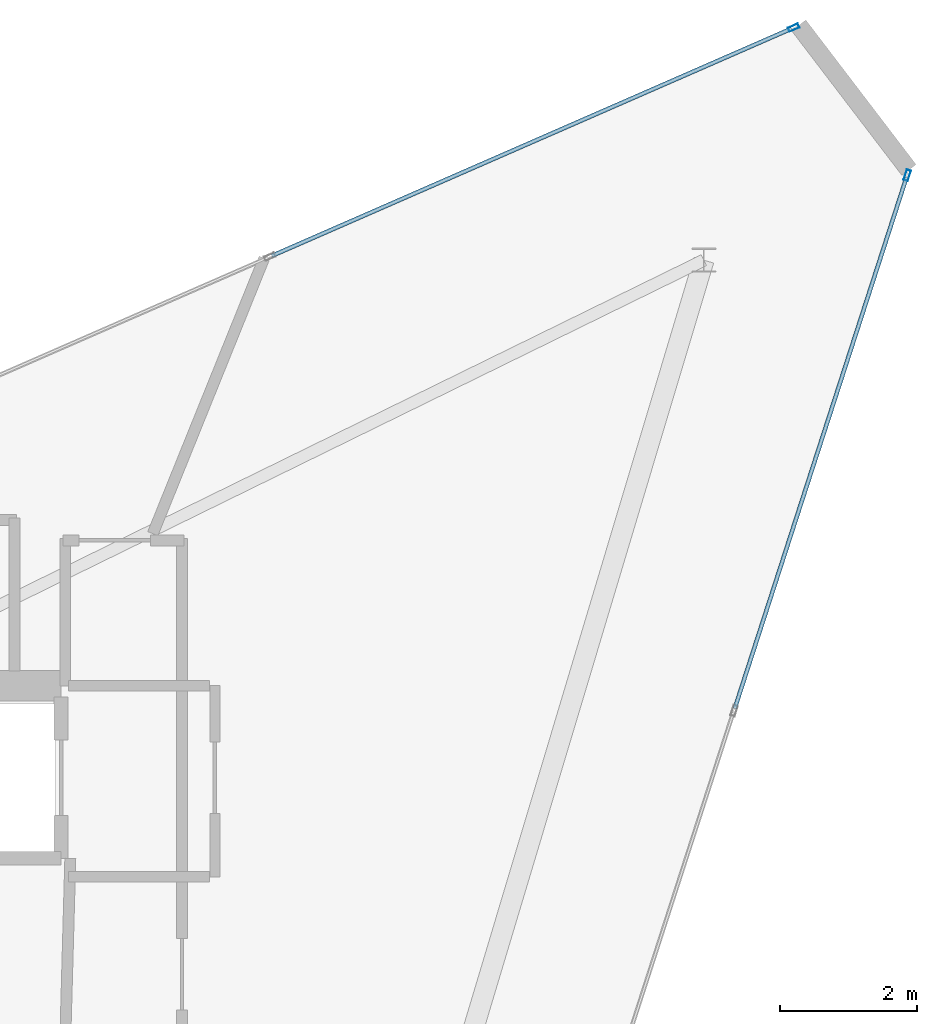
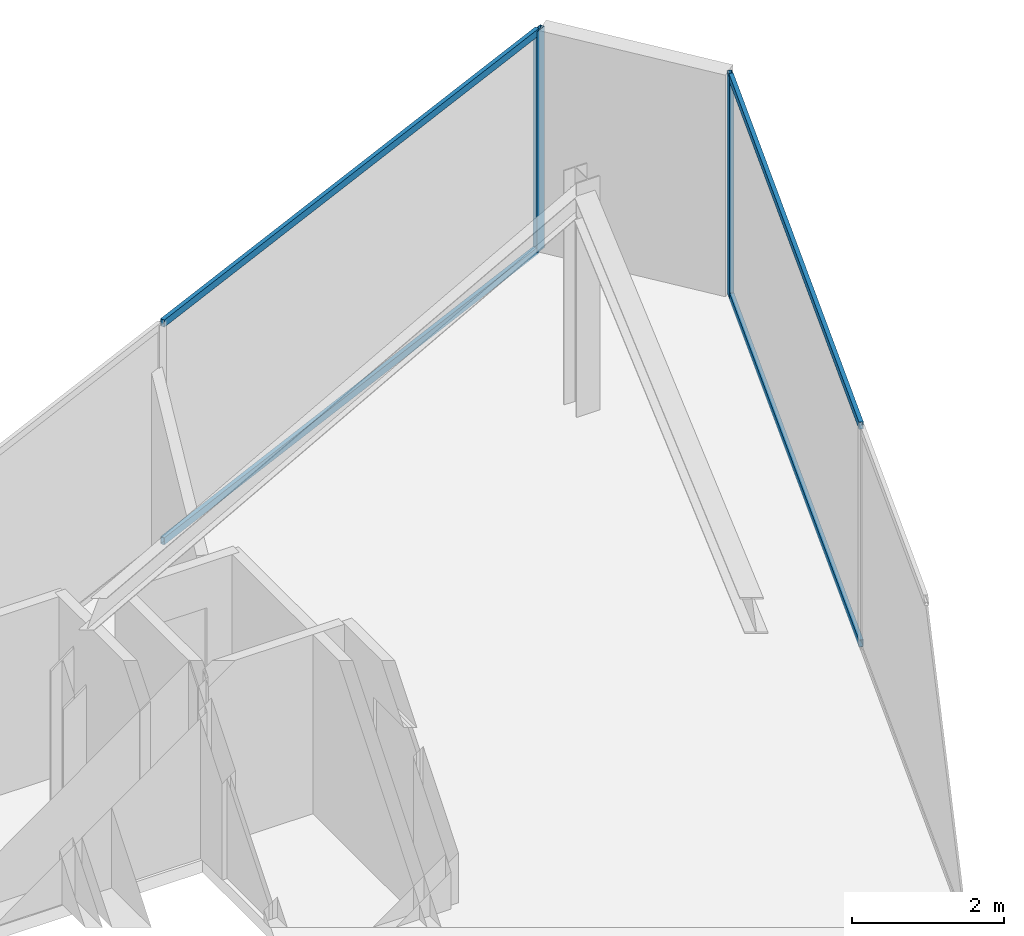
# One storey, part 11 of 14: 6 members, 2 elements without a shape of their own.
"""IFC4 building model written with IfcOpenShell, lengths in metres."""

import ifcopenshell
import ifcopenshell.guid

model = None  # the IFC model being written
_history = None  # IfcOwnerHistory: only IFC2X3 demands one
_inside = {}  # id of a spatial element -> (the spatial element, [elements in it])
_under = {}  # id of a project, library or spatial element -> (it, [spatial elements below it])
_declared = {}  # id of a project -> (the project, [libraries it declares])
_typed = {}  # id of a type object -> (the type object, [elements of that type])
_made_of = {}  # id of a material, layer set ... -> (it, [elements and type objects made of it])


def new_model(schema):
    """Start an empty IFC model of exactly this schema.

    Asked for "IFC4X3", IfcOpenShell would pick the latest addendum, in which some entities
    have other attributes; the version numbers below select the first issue.
    IFC2X3 requires an IfcOwnerHistory on every rooted entity: one is made here for all.
    """
    global model, _history
    if schema == "IFC4X3":
        model = ifcopenshell.file(schema_version=(4, 3, 0, 0))
    else:
        model = ifcopenshell.file(schema=schema)
    _inside.clear()
    _under.clear()
    _declared.clear()
    _typed.clear()
    _made_of.clear()
    _history = None
    if model.schema == "IFC2X3":
        org = make("IfcOrganization", Name="unknown")
        user = make(
            "IfcPersonAndOrganization",
            ThePerson=make("IfcPerson", FamilyName="unknown"),
            TheOrganization=org,
        )
        app = make(
            "IfcApplication",
            ApplicationDeveloper=org,
            Version="unknown",
            ApplicationFullName="unknown",
            ApplicationIdentifier="unknown",
        )
        _history = make(
            "IfcOwnerHistory",
            OwningUser=user,
            OwningApplication=app,
            ChangeAction="ADDED",
            CreationDate=0,
        )
    return model


def make(cls, **values):
    """One entity of the class cls with the attributes given. An attribute that is None is left unset."""
    return model.create_entity(
        cls, **{name: value for name, value in values.items() if value is not None}
    )


def rooted(cls, **values):
    """An entity with a GlobalId (a new one), such as an element, a storey or a relation."""
    return make(cls, GlobalId=ifcopenshell.guid.new(), OwnerHistory=_history, **values)


def si_unit(unit_type, name, prefix=None):
    """IfcSIUnit, for example si_unit("LENGTHUNIT", "METRE", prefix="MILLI")."""
    return make("IfcSIUnit", UnitType=unit_type, Prefix=prefix, Name=name)


def assignment(units):
    """IfcUnitAssignment: the units of a project."""
    return None if units is None else make("IfcUnitAssignment", Units=units)


def point(xyz):
    """IfcCartesianPoint."""
    return None if xyz is None else make("IfcCartesianPoint", Coordinates=xyz)


def direction(xyz):
    """IfcDirection."""
    return None if xyz is None else make("IfcDirection", DirectionRatios=xyz)


def frame(location, z_axis=None, x_axis=None):
    """IfcAxis2Placement3D, a coordinate frame: its origin and axes. An axis left out is left unset."""
    return make(
        "IfcAxis2Placement3D",
        Location=point(location),
        Axis=direction(z_axis),
        RefDirection=direction(x_axis),
    )


def frame_2d(location, x_axis=None):
    """IfcAxis2Placement2D, a coordinate frame in the plane: its origin and x axis."""
    return make(
        "IfcAxis2Placement2D", Location=point(location), RefDirection=direction(x_axis)
    )


def origin():
    """The frame at (0, 0, 0) with its axes left unset."""
    return frame((0.0, 0.0, 0.0))


def origin_2d():
    """The frame at (0, 0) in the plane with its x axis left unset."""
    return frame_2d((0.0, 0.0))


def place(relative_to, where):
    """IfcLocalPlacement: puts the frame where relative to a parent placement (None: the world)."""
    return make(
        "IfcLocalPlacement", PlacementRelTo=relative_to, RelativePlacement=where
    )


def context(
    kind, dimensions, precision=None, world=None, true_north=None, identifier=None
):
    """IfcGeometricRepresentationContext, for example the 3D "Model" context."""
    return make(
        "IfcGeometricRepresentationContext",
        ContextIdentifier=identifier,
        ContextType=kind,
        CoordinateSpaceDimension=dimensions,
        Precision=precision,
        WorldCoordinateSystem=world,
        TrueNorth=true_north,
    )


def subcontext(parent, identifier, kind, view, scale=None):
    """IfcGeometricRepresentationSubContext, for example "Body" below "Model"."""
    return make(
        "IfcGeometricRepresentationSubContext",
        ContextIdentifier=identifier,
        ContextType=kind,
        ParentContext=parent,
        TargetScale=scale,
        TargetView=view,
    )


def project(units=None, contexts=None):
    """IfcProject with its units and contexts."""
    return rooted(
        "IfcProject",
        Name="project",
        RepresentationContexts=contexts,
        UnitsInContext=assignment(units),
    )


def spatial(cls, under=None, at=None, **own):
    """A site, building, storey or space (cls), placed at a placement, below another one or the project."""
    s = rooted(cls, ObjectPlacement=at, **own)
    if under is not None:
        _under.setdefault(under.id(), (under, []))[1].append(s)
    return s


def profile(cls, at=None, kind="AREA", **sizes):
    """A parametric profile (cls). Its sizes go by their IFC names, for example OverallWidth=200.0."""
    return make(cls, ProfileType=kind, Position=at, **sizes)


def hollow_rectangle(**sizes):
    """IfcRectangleHollowProfileDef."""
    return profile("IfcRectangleHollowProfileDef", **sizes)


def extrude(swept, where, along, depth):
    """IfcExtrudedAreaSolid: the profile swept, set in the frame where, extruded along a direction by depth."""
    return make(
        "IfcExtrudedAreaSolid",
        SweptArea=swept,
        Position=where,
        ExtrudedDirection=direction(along),
        Depth=depth,
    )


def shape(context_of_items, identifier, shape_type, items):
    """IfcShapeRepresentation: the items that make up one representation, for example the "Body"."""
    return make(
        "IfcShapeRepresentation",
        ContextOfItems=context_of_items,
        RepresentationIdentifier=identifier,
        RepresentationType=shape_type,
        Items=items,
    )


def material(Name=None, Category=None):
    """IfcMaterial."""
    return make("IfcMaterial", Name=Name, Category=Category)


def layer(
    of_material, thickness, ventilated=None, Name=None, Category=None, Priority=None
):
    """IfcMaterialLayer: one layer of a wall or slab, of a material (None: an air gap)."""
    return make(
        "IfcMaterialLayer",
        Material=of_material,
        LayerThickness=thickness,
        IsVentilated=ventilated,
        Name=Name,
        Category=Category,
        Priority=Priority,
    )


def layer_set(layers, Name=None):
    """IfcMaterialLayerSet."""
    return make("IfcMaterialLayerSet", MaterialLayers=layers, LayerSetName=Name)


def material_profile(
    of_material, cross_section, Name=None, Category=None, Priority=None
):
    """IfcMaterialProfile: a cross section and its material."""
    return make(
        "IfcMaterialProfile",
        Name=Name,
        Material=of_material,
        Profile=cross_section,
        Priority=Priority,
        Category=Category,
    )


def profile_set(profiles, Name=None, composite=None):
    """IfcMaterialProfileSet."""
    return make(
        "IfcMaterialProfileSet",
        Name=Name,
        MaterialProfiles=profiles,
        CompositeProfile=composite,
    )


def made_of(thing, what):
    """Note that an element or type object is made of a material, layer set ...; save() writes the relation."""
    if what is not None:
        _made_of.setdefault(what.id(), (what, []))[1].append(thing)
    return thing


def type_object(cls, material=None, **own):
    """A type object (cls), such as IfcWallType, which elements share."""
    return made_of(rooted(cls, **own), material)


def element(
    cls,
    number,
    at=None,
    inside=None,
    cuts=None,
    type_object=None,
    material=None,
    context=None,
    identifier="Body",
    shape_type=None,
    held_by="IfcProductDefinitionShape",
    body=None,
    shapes=None,
    **own,
):
    """One element of the class cls, such as IfcWall. Its Tag is "e" and its number.

    at: its placement. inside: the storey or other place that contains it. cuts: it is an
    opening in that element (IfcRelVoidsElement). A single representation is given by context,
    identifier, shape_type and body (its items); several are given by shapes. held_by: the class
    of the entity that holds the representations. save() writes the other relations.
    """
    e = rooted(cls, Tag="e%d" % number, ObjectPlacement=at, **own)
    if body is not None:
        shapes = [shape(context, identifier, shape_type, body)]
    if shapes is not None:
        e.Representation = make(held_by, Representations=shapes)
    if inside is not None:
        _inside.setdefault(inside.id(), (inside, []))[1].append(e)
    if cuts is not None:
        rooted(
            "IfcRelVoidsElement", RelatingBuildingElement=cuts, RelatedOpeningElement=e
        )
    if type_object is not None:
        _typed.setdefault(type_object.id(), (type_object, []))[1].append(e)
    return made_of(e, material)


def aggregate(whole, parts):
    """IfcRelAggregates: a whole, such as a stair, and the parts it consists of."""
    return rooted("IfcRelAggregates", RelatingObject=whole, RelatedObjects=parts)


def save(model, path):
    """Write the relations noted so far, then the file.

    IfcRelAggregates (storeys below a building ...), IfcRelContainedInSpatialStructure (elements
    in a storey), IfcRelDefinesByType, IfcRelAssociatesMaterial and IfcRelDeclares: one each for
    every whole, place, type object, material and project.
    """
    for whole, parts in _under.values():
        aggregate(whole, parts)
    for where, things in _inside.values():
        rooted(
            "IfcRelContainedInSpatialStructure",
            RelatedElements=things,
            RelatingStructure=where,
        )
    for kind, things in _typed.values():
        rooted("IfcRelDefinesByType", RelatedObjects=things, RelatingType=kind)
    for what, things in _made_of.values():
        rooted("IfcRelAssociatesMaterial", RelatedObjects=things, RelatingMaterial=what)
    for by, libraries in _declared.values():
        rooted("IfcRelDeclares", RelatingContext=by, RelatedDefinitions=libraries)
    model.write(path)


model = new_model("IFC4")

# Units and contexts
model_context = context("Model", 3, precision=1e-05, world=origin(), true_north=direction((0.0, 1.0)))
body_context = subcontext(model_context, "Body", "Model", "MODEL_VIEW")
ifc_project = project(units=[si_unit("LENGTHUNIT", "METRE"), si_unit("AREAUNIT", "SQUARE_METRE"), si_unit("VOLUMEUNIT", "CUBIC_METRE"), si_unit("PLANEANGLEUNIT", "RADIAN"), si_unit("MASSUNIT", "GRAM", prefix="KILO")], contexts=[model_context])

# Site, building, storey
site_placement = place(None, origin())
site = spatial("IfcSite", under=ifc_project, at=site_placement, CompositionType="ELEMENT")
building_placement = place(site_placement, origin())
building = spatial("IfcBuilding", under=site, at=building_placement, Name="Qianvela Tower", CompositionType="ELEMENT")
storey_placement = place(building_placement, frame((0.0, 0.0, 363.800048828125)))
storey = spatial("IfcBuildingStorey", under=building, at=storey_placement, Name="L94", CompositionType="ELEMENT", Elevation=363.800048828125)

# Curtain wall, member
ifc_material_1 = material(Name="Anodised Architectural Aluminium and Low-E Glass", Category="aluminium")
ifc_layer = layer(ifc_material_1, 0.159912109375)
ifc_layer_set = layer_set([ifc_layer], Name="Anodised Architectural Aluminium and Low-E Glass")
curtain_wall_type = type_object("IfcCurtainWallType", Name="CW-CROWN", PredefinedType="USERDEFINED", material=ifc_layer_set)
curtain_wall_1_placement = place(storey_placement, origin())
curtain_wall_1 = element("IfcCurtainWall", 1, at=curtain_wall_1_placement, inside=storey, type_object=curtain_wall_type, Name="L94 CW-CROWN Curtain Wall 02", ObjectType="CURTAIN_WALL_SYSTEM", PredefinedType="USERDEFINED")
ifc_material_2 = material(Name="Anodised Architectural Aluminium 6063-T6", Category="aluminium")
ifc_material_profile_1 = material_profile(ifc_material_2, hollow_rectangle(XDim=0.06494140625, YDim=0.159912109375, WallThickness=0.0048828125, at=origin_2d()), Name="ALU-MULL-65x160")
ifc_profile_set_1 = profile_set([ifc_material_profile_1], Name="Anodised Architectural Aluminium 6063-T6")
member_type_1 = type_object("IfcMemberType", Name="CW-CROWN-MULL", PredefinedType="MULLION", material=ifc_profile_set_1)
member_1_placement = place(storey_placement, frame((50.561279296875, 42.2666015625, 0.0), z_axis=(0.0, 0.0, 1.0), x_axis=(0.400641604118, -0.916234852562, 0.0)))
member_1 = element("IfcMember", 2, at=member_1_placement, type_object=member_type_1, Name="CW-8 mullion 1", PredefinedType="MULLION", context=body_context, shape_type="SweptSolid", body=[
    extrude(hollow_rectangle(XDim=0.06494140625, YDim=0.159912109375, WallThickness=0.0048828125, at=origin_2d()), origin(), (0.0, 0.0, 1.0), 3.550048828125),
])

curtain_wall_2_placement = place(storey_placement, origin())
curtain_wall_2 = element("IfcCurtainWall", 3, at=curtain_wall_2_placement, inside=storey, type_object=curtain_wall_type, Name="L94 CW-CROWN Curtain Wall 06", ObjectType="CURTAIN_WALL_SYSTEM", PredefinedType="USERDEFINED")
member_2_placement = place(storey_placement, frame((52.222900390625, 40.108642578125, 0.0), z_axis=(0.0, 0.0, 1.0), x_axis=(-0.951477858016, 0.307717217108, 0.0)))
member_2 = element("IfcMember", 4, at=member_2_placement, type_object=member_type_1, Name="CW-8 mullion 5", PredefinedType="MULLION", context=body_context, shape_type="SweptSolid", body=[
    extrude(hollow_rectangle(XDim=0.06494140625, YDim=0.159912109375, WallThickness=0.0048828125, at=origin_2d()), origin(), (0.0, 0.0, 1.0), 3.550048828125),
])

# Member
ifc_material_3 = material(Name="Anodised Architectural Aluminium 6063-T6", Category="aluminium")
ifc_material_profile_2 = material_profile(ifc_material_3, hollow_rectangle(XDim=0.06005859375, YDim=0.114990234375, WallThickness=0.00390625, at=origin_2d()), Name="ALU-TRAN-60x115")
ifc_profile_set_2 = profile_set([ifc_material_profile_2], Name="Anodised Architectural Aluminium 6063-T6")
member_type_2 = type_object("IfcMemberType", Name="CW-CROWN-TRAN", PredefinedType="USERDEFINED", material=ifc_profile_set_2)
member_3_placement = place(storey_placement, frame((50.531494140625, 42.253662109375, 0.030029296875), z_axis=(-0.916238381785, -0.400633532976, 0.0), x_axis=(0.400633532976, -0.916238381785, 0.0)))
member_3 = element("IfcMember", 5, at=member_3_placement, type_object=member_type_2, Name="CW-8 transom 1.1", ObjectType="TRANSOM", PredefinedType="USERDEFINED", context=body_context, shape_type="SweptSolid", body=[
    extrude(hollow_rectangle(XDim=0.06005859375, YDim=0.114990234375, WallThickness=0.00390625, at=origin_2d()), origin(), (0.0, 0.0, 1.0), 8.29443359375),
])

member_4_placement = place(storey_placement, frame((50.531494140625, 42.253662109375, 3.52001953125), z_axis=(-0.916238381785, -0.400633532976, 0.0), x_axis=(0.400633532976, -0.916238381785, 0.0)))
member_4 = element("IfcMember", 6, at=member_4_placement, type_object=member_type_2, Name="CW-8 transom 1.2", ObjectType="TRANSOM", PredefinedType="USERDEFINED", context=body_context, shape_type="SweptSolid", body=[
    extrude(hollow_rectangle(XDim=0.06005859375, YDim=0.114990234375, WallThickness=0.00390625, at=origin_2d()), origin(), (0.0, 0.0, 1.0), 8.29443359375),
])

aggregate(curtain_wall_1, [member_1, member_3, member_4])

member_5_placement = place(storey_placement, frame((49.701171875, 32.311279296875, 0.030029296875), z_axis=(0.307717553205, 0.951477749319, 0.0), x_axis=(-0.951477749319, 0.307717553205, 0.0)))
member_5 = element("IfcMember", 7, at=member_5_placement, type_object=member_type_2, Name="CW-8 transom 4.1", ObjectType="TRANSOM", PredefinedType="USERDEFINED", context=body_context, shape_type="SweptSolid", body=[
    extrude(hollow_rectangle(XDim=0.06005859375, YDim=0.114990234375, WallThickness=0.00390625, at=origin_2d()), origin(), (0.0, 0.0, 1.0), 8.162353515625),
])

member_6_placement = place(storey_placement, frame((49.701171875, 32.311279296875, 3.52001953125), z_axis=(0.307717553205, 0.951477749319, 0.0), x_axis=(-0.951477749319, 0.307717553205, 0.0)))
member_6 = element("IfcMember", 8, at=member_6_placement, type_object=member_type_2, Name="CW-8 transom 4.2", ObjectType="TRANSOM", PredefinedType="USERDEFINED", context=body_context, shape_type="SweptSolid", body=[
    extrude(hollow_rectangle(XDim=0.06005859375, YDim=0.114990234375, WallThickness=0.00390625, at=origin_2d()), origin(), (0.0, 0.0, 1.0), 8.162353515625),
])

aggregate(curtain_wall_2, [member_2, member_5, member_6])

save(model, "model.ifc")
